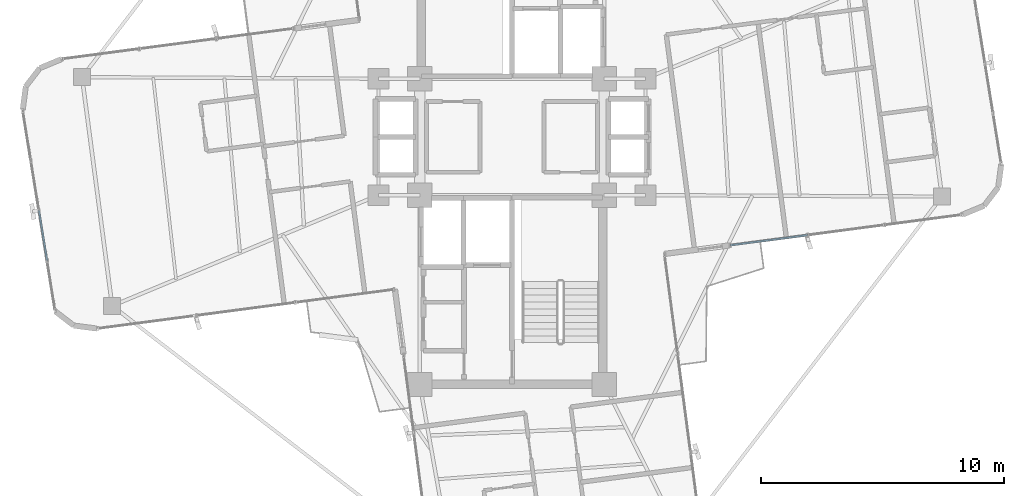
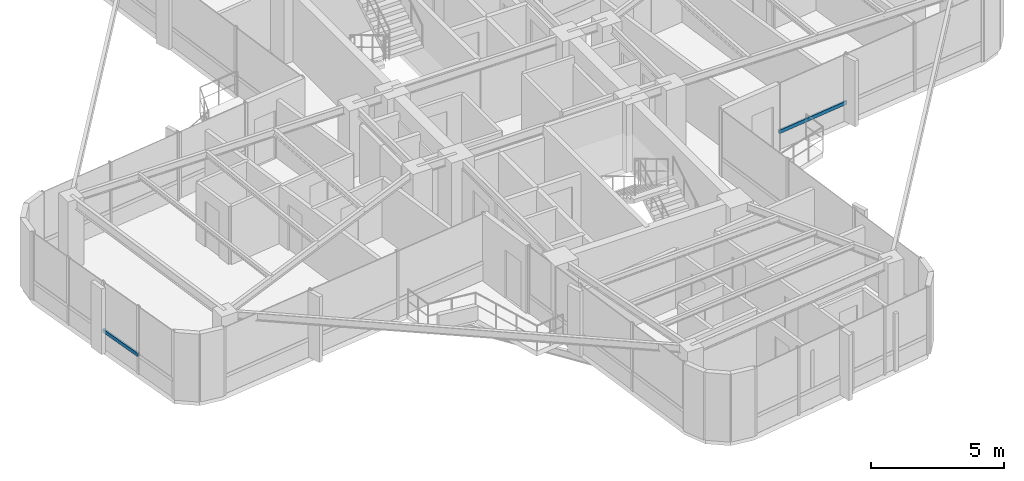
# One storey, part 6 of 22: 2 members, 2 elements without a shape of their own.
"""IFC4 building model written with IfcOpenShell, lengths in metres."""

from ifc_helpers import new_model, si_unit, direction, frame, origin, origin_2d, place, context, subcontext, project, spatial, hollow_rectangle, extrude, source, transform, mapped, material, material_profile, profile_set, type_object, element, aggregate, save


model = new_model("IFC4")

# Units and contexts
model_context = context("Model", 3, precision=1e-05, world=origin(), true_north=direction((0.0, 1.0)))
body_context = subcontext(model_context, "Body", "Model", "MODEL_VIEW")
ifc_project = project(units=[si_unit("LENGTHUNIT", "METRE"), si_unit("AREAUNIT", "SQUARE_METRE"), si_unit("VOLUMEUNIT", "CUBIC_METRE"), si_unit("PLANEANGLEUNIT", "RADIAN"), si_unit("MASSUNIT", "GRAM", prefix="KILO")], contexts=[model_context])

# Site, building, storey
site_placement = place(None, origin())
site = spatial("IfcSite", under=ifc_project, at=site_placement, CompositionType="ELEMENT")
building_placement = place(site_placement, origin())
building = spatial("IfcBuilding", under=site, at=building_placement, Name="Sahyath Konkavel Grand Hotel", CompositionType="ELEMENT")
storey_placement = place(building_placement, frame((0.0, 0.0, 269.10009765625)))
storey = spatial("IfcBuildingStorey", under=building, at=storey_placement, Name="L75", CompositionType="ELEMENT", Elevation=269.10009765625)

# Curtain wall, member
ifc_material_1 = material(Name="Anodised Bronze Aluminium & Low-E Glazing", Category="aluminium")
curtain_wall_type = type_object("IfcCurtainWallType", Name="CW-ZONE4", PredefinedType="NOTDEFINED", material=ifc_material_1)
curtain_wall_1_placement = place(storey_placement, origin())
curtain_wall_1 = element("IfcCurtainWall", 1, at=curtain_wall_1_placement, inside=storey, type_object=curtain_wall_type, Name="L75 Unitised Curtain Wall F0", PredefinedType="NOTDEFINED")
ifc_material_2 = material(Name="Anodised Bronze Aluminium", Category="aluminium")
ifc_material_profile = material_profile(ifc_material_2, hollow_rectangle(XDim=0.080078125, YDim=0.159912109375, WallThickness=0.006103515625, at=origin_2d()), Name="RHS 160x80x6")
ifc_profile_set = profile_set([ifc_material_profile], Name="Anodised Bronze Aluminium")
member_type = type_object("IfcMemberType", Name="CW-TRN-160", PredefinedType="USERDEFINED", material=ifc_profile_set)
shared_shape_1 = source(origin(), body_context, "Body", "SweptSolid", [
    extrude(hollow_rectangle(XDim=0.080078125, YDim=0.159912109375, WallThickness=0.006103515625, at=origin_2d()), origin(), (0.0, 0.0, 1.0), 3.203369140625),
])
member_1_placement = place(storey_placement, frame((8.99951171875, -4.46337890625, 0.849853515625), z_axis=(0.991451441867, 0.130476198668, 0.0), x_axis=(-0.130476198668, 0.991451441867, 0.0)))
member_1 = element("IfcMember", 2, at=member_1_placement, type_object=member_type, Name="L75 Curtain Wall Transom F0-0-spandrel", ObjectType="TRANSOM", PredefinedType="USERDEFINED", context=body_context, shape_type="MappedRepresentation", body=[
    mapped(shared_shape_1, transform((0.0, 0.0, 0.0), scale=1.0)),
])
aggregate(curtain_wall_1, [member_1])

curtain_wall_2_placement = place(storey_placement, origin())
curtain_wall_2 = element("IfcCurtainWall", 3, at=curtain_wall_2_placement, inside=storey, type_object=curtain_wall_type, Name="L75 Unitised Curtain Wall F20", PredefinedType="NOTDEFINED")
shared_shape_2 = source(origin(), body_context, "Body", "SweptSolid", [
    extrude(hollow_rectangle(XDim=0.080078125, YDim=0.159912109375, WallThickness=0.006103515625, at=origin_2d()), origin(), (0.0, 0.0, 1.0), 2.087158203125),
])
member_2_placement = place(storey_placement, frame((-19.487060546875, -3.031982421875, 0.849853515625), z_axis=(0.159673756436, -0.98716983924, 0.0), x_axis=(0.98716983924, 0.159673756436, 0.0)))
member_2 = element("IfcMember", 4, at=member_2_placement, type_object=member_type, Name="L75 Curtain Wall Transom F20-2-spandrel", ObjectType="TRANSOM", PredefinedType="USERDEFINED", context=body_context, shape_type="MappedRepresentation", body=[
    mapped(shared_shape_2, transform((0.0, 0.0, 0.0), scale=1.0)),
])
aggregate(curtain_wall_2, [member_2])

save(model, "model.ifc")
